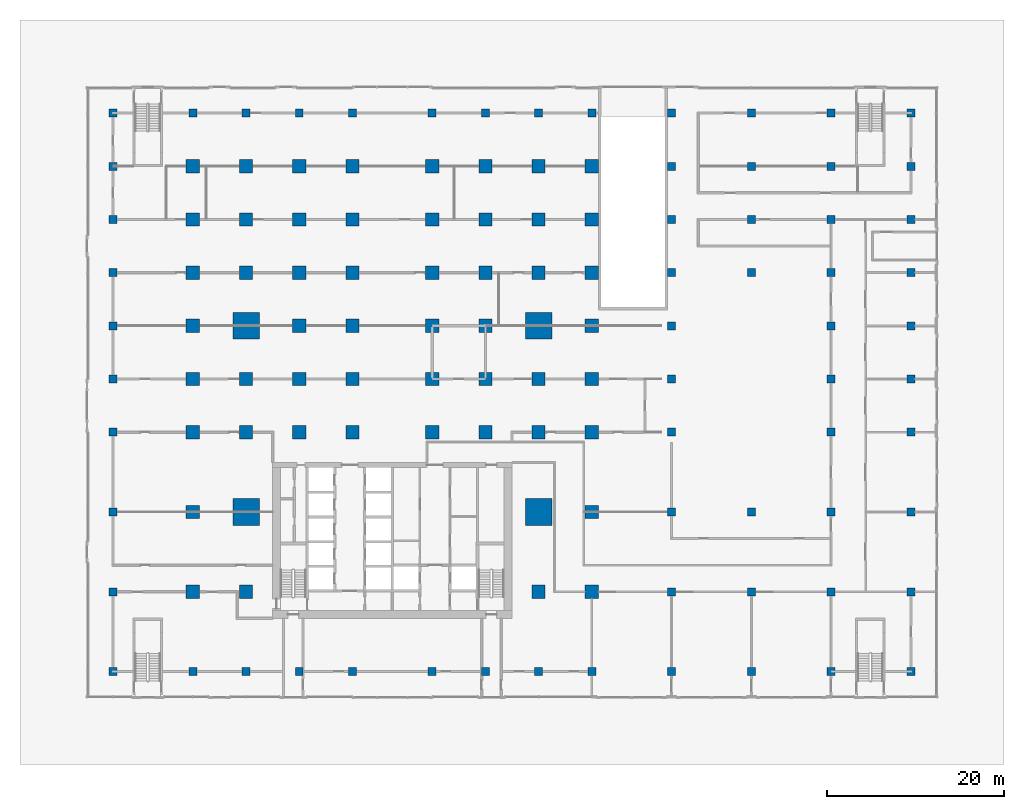
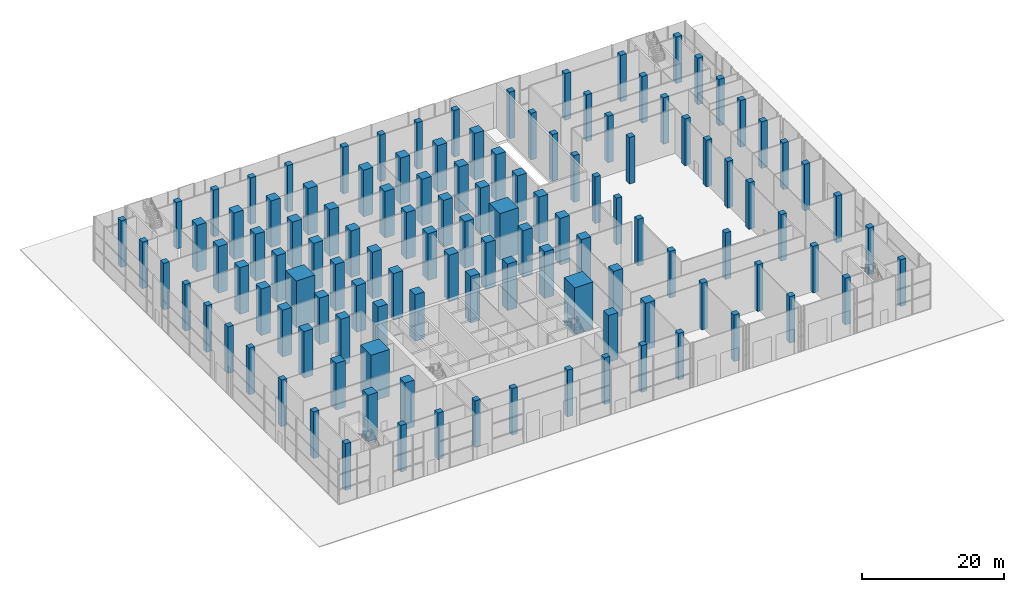
# One storey, part 1 of 29: 119 columns.
"""IFC4 building model written with IfcOpenShell, lengths in metres."""

from ifc_helpers import new_model, si_unit, direction, frame, origin, origin_2d, place, context, subcontext, project, spatial, rectangle, extrude, material, material_profile, profile_set, type_object, element, save


model = new_model("IFC4")

# Units and contexts
model_context = context("Model", 3, precision=1e-05, world=origin(), true_north=direction((0.0, 1.0)))
body_context = subcontext(model_context, "Body", "Model", "MODEL_VIEW")
ifc_project = project(units=[si_unit("LENGTHUNIT", "METRE"), si_unit("AREAUNIT", "SQUARE_METRE"), si_unit("VOLUMEUNIT", "CUBIC_METRE"), si_unit("PLANEANGLEUNIT", "RADIAN"), si_unit("MASSUNIT", "GRAM", prefix="KILO")], contexts=[model_context])

# Site, building, storey
site_placement = place(None, origin())
site = spatial("IfcSite", under=ifc_project, at=site_placement, CompositionType="ELEMENT")
building_placement = place(site_placement, origin())
building = spatial("IfcBuilding", under=site, at=building_placement, Name="Finial Court Residences", CompositionType="ELEMENT")
storey_placement = place(building_placement, origin())
storey = spatial("IfcBuildingStorey", under=building, at=storey_placement, Name="L00", CompositionType="ELEMENT", Elevation=0.0)

# Columns
ifc_material_1 = material(Name="Concrete C80/95", Category="concrete")
ifc_material_profile_1 = material_profile(ifc_material_1, rectangle(XDim=1.5, YDim=1.5, at=origin_2d()), Name="1500x1500")
ifc_profile_set_1 = profile_set([ifc_material_profile_1], Name="Concrete C80/95")
column_type_1 = type_object("IfcColumnType", Name="Interior column 1500x1500 Concrete C80/95", PredefinedType="COLUMN", material=ifc_profile_set_1)
for number, where, z_axis, x_axis, name in (
    (1, (-22.5, -22.5, 0.0), (0.0, 0.0, 1.0), (1.0, 0.0, 0.0), "S:COL:L00:B2"),
    (2, (-22.5, -13.5, 0.0), (0.0, 0.0, 1.0), (1.0, 0.0, 0.0), "S:COL:L00:B3"),
    (3, (-22.5, -4.5, 0.0), (0.0, 0.0, 1.0), (1.0, 0.0, 0.0), "S:COL:L00:B4"),
    (4, (-22.5, 1.5, 0.0), (0.0, 0.0, 1.0), (1.0, 0.0, 0.0), "S:COL:L00:B5"),
    (5, (-22.5, 7.5, 0.0), (0.0, 0.0, 1.0), (1.0, 0.0, 0.0), "S:COL:L00:B6"),
    (6, (-22.5, 13.5, 0.0), (0.0, 0.0, 1.0), (1.0, 0.0, 0.0), "S:COL:L00:B7"),
    (7, (-22.5, 19.5, 0.0), (0.0, 0.0, 1.0), (1.0, 0.0, 0.0), "S:COL:L00:B8"),
    (8, (-22.5, 25.5, 0.0), (0.0, 0.0, 1.0), (1.0, 0.0, 0.0), "S:COL:L00:B9"),
    (9, (-16.5, -22.5, 0.0), (0.0, 0.0, 1.0), (1.0, 0.0, 0.0), "S:COL:L00:C2"),
    (10, (-16.5, -4.5, 0.0), (0.0, 0.0, 1.0), (1.0, 0.0, 0.0), "S:COL:L00:C4"),
    (11, (-16.5, 1.5, 0.0), (0.0, 0.0, 1.0), (1.0, 0.0, 0.0), "S:COL:L00:C5"),
    (12, (-16.5, 13.5, 0.0), (0.0, 0.0, 1.0), (1.0, 0.0, 0.0), "S:COL:L00:C7"),
    (13, (-16.5, 19.5, 0.0), (0.0, 0.0, 1.0), (1.0, 0.0, 0.0), "S:COL:L00:C8"),
    (14, (-16.5, 25.5, 0.0), (0.0, 0.0, 1.0), (1.0, 0.0, 0.0), "S:COL:L00:C9"),
    (15, (-10.5, -4.5, 0.0), (0.0, 0.0, 1.0), (1.0, 0.0, 0.0), "S:COL:L00:D4"),
    (16, (-10.5, 1.5, 0.0), (0.0, 0.0, 1.0), (1.0, 0.0, 0.0), "S:COL:L00:D5"),
    (17, (-10.5, 7.5, 0.0), (0.0, 0.0, 1.0), (1.0, 0.0, 0.0), "S:COL:L00:D6"),
    (18, (-10.5, 13.5, 0.0), (0.0, 0.0, 1.0), (1.0, 0.0, 0.0), "S:COL:L00:D7"),
    (19, (-10.5, 19.5, 0.0), (0.0, 0.0, 1.0), (1.0, 0.0, 0.0), "S:COL:L00:D8"),
    (20, (-10.5, 25.5, 0.0), (0.0, 0.0, 1.0), (1.0, 0.0, 0.0), "S:COL:L00:D9"),
    (21, (-4.5, -4.5, 0.0), (0.0, 0.0, 1.0), (1.0, 0.0, 0.0), "S:COL:L00:E4"),
    (22, (-4.5, 1.5, 0.0), (0.0, 0.0, 1.0), (1.0, 0.0, 0.0), "S:COL:L00:E5"),
    (23, (-4.5, 7.5, 0.0), (0.0, 0.0, 1.0), (1.0, 0.0, 0.0), "S:COL:L00:E6"),
    (24, (-4.5, 13.5, 0.0), (0.0, 0.0, 1.0), (1.0, 0.0, 0.0), "S:COL:L00:E7"),
    (25, (-4.5, 19.5, 0.0), (0.0, 0.0, 1.0), (1.0, 0.0, 0.0), "S:COL:L00:E8"),
    (26, (-4.5, 25.5, 0.0), (0.0, 0.0, 1.0), (1.0, 0.0, 0.0), "S:COL:L00:E9"),
    (27, (4.5, -4.5, 0.0), (0.0, 0.0, 1.0), (1.0, 0.0, 0.0), "S:COL:L00:F4"),
    (28, (4.5, 1.5, 0.0), (0.0, 0.0, 1.0), (1.0, 0.0, 0.0), "S:COL:L00:F5"),
    (29, (4.5, 7.5, 0.0), (0.0, 0.0, 1.0), (1.0, 0.0, 0.0), "S:COL:L00:F6"),
    (30, (4.5, 13.5, 0.0), (0.0, 0.0, 1.0), (1.0, 0.0, 0.0), "S:COL:L00:F7"),
    (31, (4.5, 19.5, 0.0), (0.0, 0.0, 1.0), (1.0, 0.0, 0.0), "S:COL:L00:F8"),
    (32, (4.5, 25.5, 0.0), (0.0, 0.0, 1.0), (1.0, 0.0, 0.0), "S:COL:L00:F9"),
    (33, (10.5, -4.5, 0.0), (0.0, 0.0, 1.0), (1.0, 0.0, 0.0), "S:COL:L00:G4"),
    (34, (10.5, 1.5, 0.0), (0.0, 0.0, 1.0), (1.0, 0.0, 0.0), "S:COL:L00:G5"),
    (35, (10.5, 7.5, 0.0), (0.0, 0.0, 1.0), (1.0, 0.0, 0.0), "S:COL:L00:G6"),
    (36, (10.5, 13.5, 0.0), (0.0, 0.0, 1.0), (1.0, 0.0, 0.0), "S:COL:L00:G7"),
    (37, (10.5, 19.5, 0.0), (0.0, 0.0, 1.0), (1.0, 0.0, 0.0), "S:COL:L00:G8"),
    (38, (10.5, 25.5, 0.0), (0.0, 0.0, 1.0), (1.0, 0.0, 0.0), "S:COL:L00:G9"),
    (39, (16.5, -22.5, 0.0), (0.0, 0.0, 1.0), (1.0, 0.0, 0.0), "S:COL:L00:H2"),
    (40, (16.5, -4.5, 0.0), (0.0, 0.0, 1.0), (1.0, 0.0, 0.0), "S:COL:L00:H4"),
    (41, (16.5, 1.5, 0.0), (0.0, 0.0, 1.0), (1.0, 0.0, 0.0), "S:COL:L00:H5"),
    (42, (16.5, 13.5, 0.0), (0.0, 0.0, 1.0), (1.0, 0.0, 0.0), "S:COL:L00:H7"),
    (43, (16.5, 19.5, 0.0), (0.0, 0.0, 1.0), (1.0, 0.0, 0.0), "S:COL:L00:H8"),
    (44, (16.5, 25.5, 0.0), (0.0, 0.0, 1.0), (1.0, 0.0, 0.0), "S:COL:L00:H9"),
    (45, (22.5, -22.5, 0.0), (0.0, 0.0, 1.0), (1.0, 0.0, 0.0), "S:COL:L00:I2"),
    (46, (22.5, -13.5, 0.0), (0.0, 0.0, 1.0), (1.0, 0.0, 0.0), "S:COL:L00:I3"),
    (47, (22.5, -4.5, 0.0), (0.0, 0.0, 1.0), (1.0, 0.0, 0.0), "S:COL:L00:I4"),
    (48, (22.5, 1.5, 0.0), (0.0, 0.0, 1.0), (1.0, 0.0, 0.0), "S:COL:L00:I5"),
    (49, (22.5, 7.5, 0.0), (0.0, 0.0, 1.0), (1.0, 0.0, 0.0), "S:COL:L00:I6"),
    (50, (22.5, 13.5, 0.0), (0.0, 0.0, 1.0), (1.0, 0.0, 0.0), "S:COL:L00:I7"),
    (51, (22.5, 19.5, 0.0), (0.0, 0.0, 1.0), (1.0, 0.0, 0.0), "S:COL:L00:I8"),
    (52, (22.5, 25.5, 0.0), (0.0, 0.0, 1.0), (1.0, 0.0, 0.0), "S:COL:L00:I9"),
):
    element("IfcColumn", number, at=place(storey_placement, frame(where, z_axis=z_axis, x_axis=x_axis)), inside=storey, type_object=column_type_1, Name=name, PredefinedType="COLUMN", context=body_context, shape_type="SweptSolid", body=[
        extrude(rectangle(XDim=1.5, YDim=1.5, at=origin_2d()), origin(), (0.0, 0.0, 1.0), 8.0),
    ])
ifc_material_profile_2 = material_profile(ifc_material_1, rectangle(XDim=3.0, YDim=3.0, at=origin_2d()), Name="3000x3000")
ifc_profile_set_2 = profile_set([ifc_material_profile_2], Name="Concrete C80/95")
column_type_2 = type_object("IfcColumnType", Name="Mega column 3000x3000 Concrete C80/95", PredefinedType="COLUMN", material=ifc_profile_set_2)
for number, where, z_axis, x_axis, name in (
    (53, (-16.5, -13.5, 0.0), (0.0, 0.0, 1.0), (1.0, 0.0, 0.0), "S:COL:L00:C3"),
    (54, (-16.5, 7.5, 0.0), (0.0, 0.0, 1.0), (1.0, 0.0, 0.0), "S:COL:L00:C6"),
    (55, (16.5, -13.5, 0.0), (0.0, 0.0, 1.0), (1.0, 0.0, 0.0), "S:COL:L00:H3"),
    (56, (16.5, 7.5, 0.0), (0.0, 0.0, 1.0), (1.0, 0.0, 0.0), "S:COL:L00:H6"),
):
    element("IfcColumn", number, at=place(storey_placement, frame(where, z_axis=z_axis, x_axis=x_axis)), inside=storey, type_object=column_type_2, Name=name, PredefinedType="COLUMN", context=body_context, shape_type="SweptSolid", body=[
        extrude(rectangle(XDim=3.0, YDim=3.0, at=origin_2d()), origin(), (0.0, 0.0, 1.0), 8.0),
    ])
ifc_material_2 = material(Name="Concrete C50/60", Category="concrete")
ifc_material_profile_3 = material_profile(ifc_material_2, rectangle(XDim=0.89990234375, YDim=0.89990234375, at=origin_2d()), Name="900x900")
ifc_profile_set_3 = profile_set([ifc_material_profile_3], Name="Concrete C50/60")
column_type_3 = type_object("IfcColumnType", Name="Podium column 900x900 Concrete C50/60", PredefinedType="COLUMN", material=ifc_profile_set_3)
for number, where, z_axis, x_axis, name in (
    (57, (-31.5, -31.5, 0.0), (0.0, 0.0, 1.0), (1.0, 0.0, 0.0), "S:COL:L00:A1"),
    (58, (-31.5, -22.5, 0.0), (0.0, 0.0, 1.0), (1.0, 0.0, 0.0), "S:COL:L00:A2"),
    (59, (-31.5, -13.5, 0.0), (0.0, 0.0, 1.0), (1.0, 0.0, 0.0), "S:COL:L00:A3"),
    (60, (-31.5, -4.5, 0.0), (0.0, 0.0, 1.0), (1.0, 0.0, 0.0), "S:COL:L00:A4"),
    (61, (-31.5, 1.5, 0.0), (0.0, 0.0, 1.0), (1.0, 0.0, 0.0), "S:COL:L00:A5"),
    (62, (-31.5, 7.5, 0.0), (0.0, 0.0, 1.0), (1.0, 0.0, 0.0), "S:COL:L00:A6"),
    (63, (-31.5, 13.5, 0.0), (0.0, 0.0, 1.0), (1.0, 0.0, 0.0), "S:COL:L00:A7"),
    (64, (-31.5, 19.5, 0.0), (0.0, 0.0, 1.0), (1.0, 0.0, 0.0), "S:COL:L00:A8"),
    (65, (-31.5, 25.5, 0.0), (0.0, 0.0, 1.0), (1.0, 0.0, 0.0), "S:COL:L00:A9"),
    (66, (-31.5, 31.5, 0.0), (0.0, 0.0, 1.0), (1.0, 0.0, 0.0), "S:COL:L00:A10"),
    (67, (-22.5, -31.5, 0.0), (0.0, 0.0, 1.0), (1.0, 0.0, 0.0), "S:COL:L00:B1"),
    (68, (-22.5, 31.5, 0.0), (0.0, 0.0, 1.0), (1.0, 0.0, 0.0), "S:COL:L00:B10"),
    (69, (-16.5, -31.5, 0.0), (0.0, 0.0, 1.0), (1.0, 0.0, 0.0), "S:COL:L00:C1"),
    (70, (-16.5, 31.5, 0.0), (0.0, 0.0, 1.0), (1.0, 0.0, 0.0), "S:COL:L00:C10"),
    (71, (-10.5, -31.5, 0.0), (0.0, 0.0, 1.0), (1.0, 0.0, 0.0), "S:COL:L00:D1"),
    (72, (-10.5, 31.5, 0.0), (0.0, 0.0, 1.0), (1.0, 0.0, 0.0), "S:COL:L00:D10"),
    (73, (-4.5, -31.5, 0.0), (0.0, 0.0, 1.0), (1.0, 0.0, 0.0), "S:COL:L00:E1"),
    (74, (-4.5, 31.5, 0.0), (0.0, 0.0, 1.0), (1.0, 0.0, 0.0), "S:COL:L00:E10"),
    (75, (4.5, -31.5, 0.0), (0.0, 0.0, 1.0), (1.0, 0.0, 0.0), "S:COL:L00:F1"),
    (76, (4.5, 31.5, 0.0), (0.0, 0.0, 1.0), (1.0, 0.0, 0.0), "S:COL:L00:F10"),
    (77, (10.5, -31.5, 0.0), (0.0, 0.0, 1.0), (1.0, 0.0, 0.0), "S:COL:L00:G1"),
    (78, (10.5, 31.5, 0.0), (0.0, 0.0, 1.0), (1.0, 0.0, 0.0), "S:COL:L00:G10"),
    (79, (16.5, -31.5, 0.0), (0.0, 0.0, 1.0), (1.0, 0.0, 0.0), "S:COL:L00:H1"),
    (80, (16.5, 31.5, 0.0), (0.0, 0.0, 1.0), (1.0, 0.0, 0.0), "S:COL:L00:H10"),
    (81, (22.5, -31.5, 0.0), (0.0, 0.0, 1.0), (1.0, 0.0, 0.0), "S:COL:L00:I1"),
    (82, (22.5, 31.5, 0.0), (0.0, 0.0, 1.0), (1.0, 0.0, 0.0), "S:COL:L00:I10"),
    (83, (31.5, -31.5, 0.0), (0.0, 0.0, 1.0), (1.0, 0.0, 0.0), "S:COL:L00:J1"),
    (84, (31.5, -22.5, 0.0), (0.0, 0.0, 1.0), (1.0, 0.0, 0.0), "S:COL:L00:J2"),
    (85, (31.5, -13.5, 0.0), (0.0, 0.0, 1.0), (1.0, 0.0, 0.0), "S:COL:L00:J3"),
    (86, (31.5, -4.5, 0.0), (0.0, 0.0, 1.0), (1.0, 0.0, 0.0), "S:COL:L00:J4"),
    (87, (31.5, 1.5, 0.0), (0.0, 0.0, 1.0), (1.0, 0.0, 0.0), "S:COL:L00:J5"),
    (88, (31.5, 7.5, 0.0), (0.0, 0.0, 1.0), (1.0, 0.0, 0.0), "S:COL:L00:J6"),
    (89, (31.5, 13.5, 0.0), (0.0, 0.0, 1.0), (1.0, 0.0, 0.0), "S:COL:L00:J7"),
    (90, (31.5, 19.5, 0.0), (0.0, 0.0, 1.0), (1.0, 0.0, 0.0), "S:COL:L00:J8"),
    (91, (31.5, 25.5, 0.0), (0.0, 0.0, 1.0), (1.0, 0.0, 0.0), "S:COL:L00:J9"),
    (92, (31.5, 31.5, 0.0), (0.0, 0.0, 1.0), (1.0, 0.0, 0.0), "S:COL:L00:J10"),
    (93, (40.5, -31.5, 0.0), (0.0, 0.0, 1.0), (1.0, 0.0, 0.0), "S:COL:L00:K1"),
    (94, (40.5, -22.5, 0.0), (0.0, 0.0, 1.0), (1.0, 0.0, 0.0), "S:COL:L00:K2"),
    (95, (40.5, -13.5, 0.0), (0.0, 0.0, 1.0), (1.0, 0.0, 0.0), "S:COL:L00:K3"),
    (96, (40.5, 13.5, 0.0), (0.0, 0.0, 1.0), (1.0, 0.0, 0.0), "S:COL:L00:K7"),
    (97, (40.5, 19.5, 0.0), (0.0, 0.0, 1.0), (1.0, 0.0, 0.0), "S:COL:L00:K8"),
    (98, (40.5, 25.5, 0.0), (0.0, 0.0, 1.0), (1.0, 0.0, 0.0), "S:COL:L00:K9"),
    (99, (40.5, 31.5, 0.0), (0.0, 0.0, 1.0), (1.0, 0.0, 0.0), "S:COL:L00:K10"),
    (100, (49.5, -31.5, 0.0), (0.0, 0.0, 1.0), (1.0, 0.0, 0.0), "S:COL:L00:L1"),
    (101, (49.5, -22.5, 0.0), (0.0, 0.0, 1.0), (1.0, 0.0, 0.0), "S:COL:L00:L2"),
    (102, (49.5, -13.5, 0.0), (0.0, 0.0, 1.0), (1.0, 0.0, 0.0), "S:COL:L00:L3"),
    (103, (49.5, -4.5, 0.0), (0.0, 0.0, 1.0), (1.0, 0.0, 0.0), "S:COL:L00:L4"),
    (104, (49.5, 1.5, 0.0), (0.0, 0.0, 1.0), (1.0, 0.0, 0.0), "S:COL:L00:L5"),
    (105, (49.5, 7.5, 0.0), (0.0, 0.0, 1.0), (1.0, 0.0, 0.0), "S:COL:L00:L6"),
    (106, (49.5, 13.5, 0.0), (0.0, 0.0, 1.0), (1.0, 0.0, 0.0), "S:COL:L00:L7"),
    (107, (49.5, 19.5, 0.0), (0.0, 0.0, 1.0), (1.0, 0.0, 0.0), "S:COL:L00:L8"),
    (108, (49.5, 25.5, 0.0), (0.0, 0.0, 1.0), (1.0, 0.0, 0.0), "S:COL:L00:L9"),
    (109, (49.5, 31.5, 0.0), (0.0, 0.0, 1.0), (1.0, 0.0, 0.0), "S:COL:L00:L10"),
    (110, (58.5, -31.5, 0.0), (0.0, 0.0, 1.0), (1.0, 0.0, 0.0), "S:COL:L00:M1"),
    (111, (58.5, -22.5, 0.0), (0.0, 0.0, 1.0), (1.0, 0.0, 0.0), "S:COL:L00:M2"),
    (112, (58.5, -13.5, 0.0), (0.0, 0.0, 1.0), (1.0, 0.0, 0.0), "S:COL:L00:M3"),
    (113, (58.5, -4.5, 0.0), (0.0, 0.0, 1.0), (1.0, 0.0, 0.0), "S:COL:L00:M4"),
    (114, (58.5, 1.5, 0.0), (0.0, 0.0, 1.0), (1.0, 0.0, 0.0), "S:COL:L00:M5"),
    (115, (58.5, 7.5, 0.0), (0.0, 0.0, 1.0), (1.0, 0.0, 0.0), "S:COL:L00:M6"),
    (116, (58.5, 13.5, 0.0), (0.0, 0.0, 1.0), (1.0, 0.0, 0.0), "S:COL:L00:M7"),
    (117, (58.5, 19.5, 0.0), (0.0, 0.0, 1.0), (1.0, 0.0, 0.0), "S:COL:L00:M8"),
    (118, (58.5, 25.5, 0.0), (0.0, 0.0, 1.0), (1.0, 0.0, 0.0), "S:COL:L00:M9"),
    (119, (58.5, 31.5, 0.0), (0.0, 0.0, 1.0), (1.0, 0.0, 0.0), "S:COL:L00:M10"),
):
    element("IfcColumn", number, at=place(storey_placement, frame(where, z_axis=z_axis, x_axis=x_axis)), inside=storey, type_object=column_type_3, Name=name, PredefinedType="COLUMN", context=body_context, shape_type="SweptSolid", body=[
        extrude(rectangle(XDim=0.89990234375, YDim=0.89990234375, at=origin_2d()), origin(), (0.0, 0.0, 1.0), 8.0),
    ])

save(model, "model.ifc")
